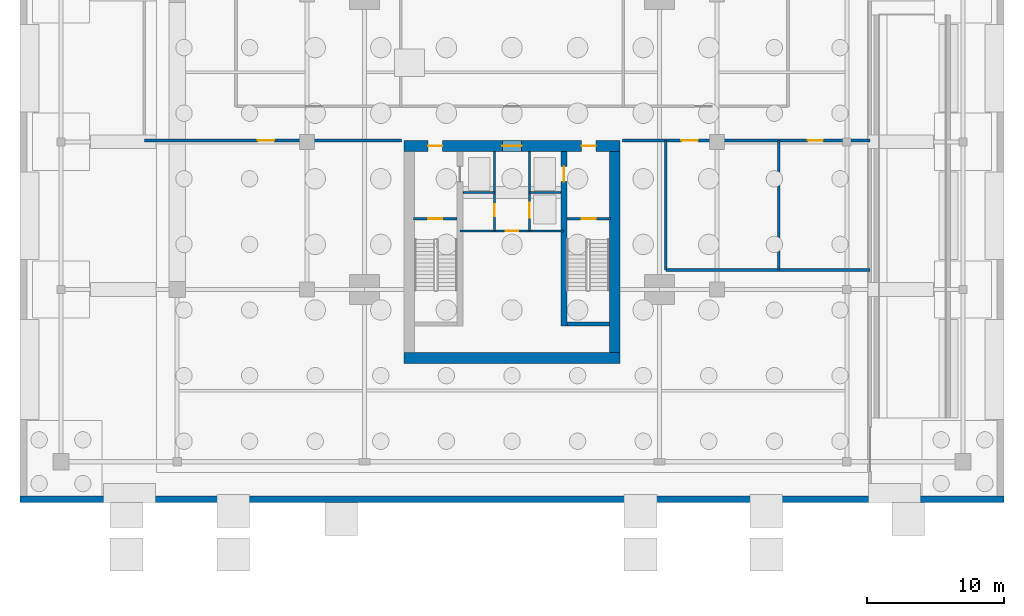
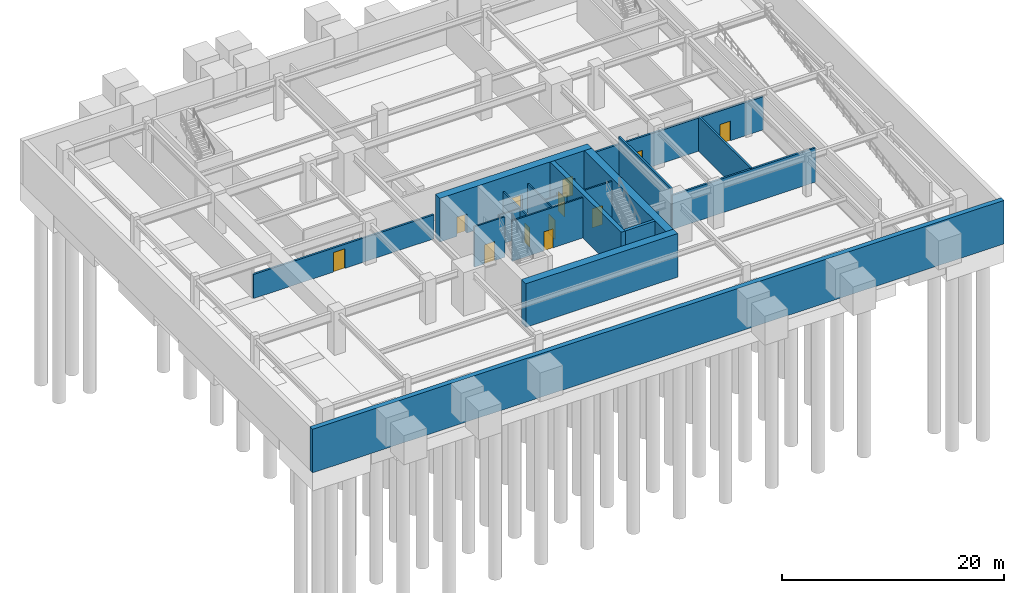
# One storey, part 4 of 9: 18 walls, 12 doors, 12 openings.
"""IFC4 building model written with IfcOpenShell, lengths in metres."""

import ifcopenshell
import ifcopenshell.guid

model = None  # the IFC model being written
_history = None  # IfcOwnerHistory: only IFC2X3 demands one
_inside = {}  # id of a spatial element -> (the spatial element, [elements in it])
_under = {}  # id of a project, library or spatial element -> (it, [spatial elements below it])
_declared = {}  # id of a project -> (the project, [libraries it declares])
_typed = {}  # id of a type object -> (the type object, [elements of that type])
_made_of = {}  # id of a material, layer set ... -> (it, [elements and type objects made of it])


def new_model(schema):
    """Start an empty IFC model of exactly this schema.

    Asked for "IFC4X3", IfcOpenShell would pick the latest addendum, in which some entities
    have other attributes; the version numbers below select the first issue.
    IFC2X3 requires an IfcOwnerHistory on every rooted entity: one is made here for all.
    """
    global model, _history
    if schema == "IFC4X3":
        model = ifcopenshell.file(schema_version=(4, 3, 0, 0))
    else:
        model = ifcopenshell.file(schema=schema)
    _inside.clear()
    _under.clear()
    _declared.clear()
    _typed.clear()
    _made_of.clear()
    _history = None
    if model.schema == "IFC2X3":
        org = make("IfcOrganization", Name="unknown")
        user = make(
            "IfcPersonAndOrganization",
            ThePerson=make("IfcPerson", FamilyName="unknown"),
            TheOrganization=org,
        )
        app = make(
            "IfcApplication",
            ApplicationDeveloper=org,
            Version="unknown",
            ApplicationFullName="unknown",
            ApplicationIdentifier="unknown",
        )
        _history = make(
            "IfcOwnerHistory",
            OwningUser=user,
            OwningApplication=app,
            ChangeAction="ADDED",
            CreationDate=0,
        )
    return model


def make(cls, **values):
    """One entity of the class cls with the attributes given. An attribute that is None is left unset."""
    return model.create_entity(
        cls, **{name: value for name, value in values.items() if value is not None}
    )


def rooted(cls, **values):
    """An entity with a GlobalId (a new one), such as an element, a storey or a relation."""
    return make(cls, GlobalId=ifcopenshell.guid.new(), OwnerHistory=_history, **values)


def si_unit(unit_type, name, prefix=None):
    """IfcSIUnit, for example si_unit("LENGTHUNIT", "METRE", prefix="MILLI")."""
    return make("IfcSIUnit", UnitType=unit_type, Prefix=prefix, Name=name)


def assignment(units):
    """IfcUnitAssignment: the units of a project."""
    return None if units is None else make("IfcUnitAssignment", Units=units)


def point(xyz):
    """IfcCartesianPoint."""
    return None if xyz is None else make("IfcCartesianPoint", Coordinates=xyz)


def direction(xyz):
    """IfcDirection."""
    return None if xyz is None else make("IfcDirection", DirectionRatios=xyz)


def frame(location, z_axis=None, x_axis=None):
    """IfcAxis2Placement3D, a coordinate frame: its origin and axes. An axis left out is left unset."""
    return make(
        "IfcAxis2Placement3D",
        Location=point(location),
        Axis=direction(z_axis),
        RefDirection=direction(x_axis),
    )


def frame_2d(location, x_axis=None):
    """IfcAxis2Placement2D, a coordinate frame in the plane: its origin and x axis."""
    return make(
        "IfcAxis2Placement2D", Location=point(location), RefDirection=direction(x_axis)
    )


def origin():
    """The frame at (0, 0, 0) with its axes left unset."""
    return frame((0.0, 0.0, 0.0))


def place(relative_to, where):
    """IfcLocalPlacement: puts the frame where relative to a parent placement (None: the world)."""
    return make(
        "IfcLocalPlacement", PlacementRelTo=relative_to, RelativePlacement=where
    )


def context(
    kind, dimensions, precision=None, world=None, true_north=None, identifier=None
):
    """IfcGeometricRepresentationContext, for example the 3D "Model" context."""
    return make(
        "IfcGeometricRepresentationContext",
        ContextIdentifier=identifier,
        ContextType=kind,
        CoordinateSpaceDimension=dimensions,
        Precision=precision,
        WorldCoordinateSystem=world,
        TrueNorth=true_north,
    )


def subcontext(parent, identifier, kind, view, scale=None):
    """IfcGeometricRepresentationSubContext, for example "Body" below "Model"."""
    return make(
        "IfcGeometricRepresentationSubContext",
        ContextIdentifier=identifier,
        ContextType=kind,
        ParentContext=parent,
        TargetScale=scale,
        TargetView=view,
    )


def project(units=None, contexts=None):
    """IfcProject with its units and contexts."""
    return rooted(
        "IfcProject",
        Name="project",
        RepresentationContexts=contexts,
        UnitsInContext=assignment(units),
    )


def spatial(cls, under=None, at=None, **own):
    """A site, building, storey or space (cls), placed at a placement, below another one or the project."""
    s = rooted(cls, ObjectPlacement=at, **own)
    if under is not None:
        _under.setdefault(under.id(), (under, []))[1].append(s)
    return s


def profile(cls, at=None, kind="AREA", **sizes):
    """A parametric profile (cls). Its sizes go by their IFC names, for example OverallWidth=200.0."""
    return make(cls, ProfileType=kind, Position=at, **sizes)


def rectangle(**sizes):
    """IfcRectangleProfileDef."""
    return profile("IfcRectangleProfileDef", **sizes)


def extrude(swept, where, along, depth):
    """IfcExtrudedAreaSolid: the profile swept, set in the frame where, extruded along a direction by depth."""
    return make(
        "IfcExtrudedAreaSolid",
        SweptArea=swept,
        Position=where,
        ExtrudedDirection=direction(along),
        Depth=depth,
    )


def shape(context_of_items, identifier, shape_type, items):
    """IfcShapeRepresentation: the items that make up one representation, for example the "Body"."""
    return make(
        "IfcShapeRepresentation",
        ContextOfItems=context_of_items,
        RepresentationIdentifier=identifier,
        RepresentationType=shape_type,
        Items=items,
    )


def material(Name=None, Category=None):
    """IfcMaterial."""
    return make("IfcMaterial", Name=Name, Category=Category)


def layer(
    of_material, thickness, ventilated=None, Name=None, Category=None, Priority=None
):
    """IfcMaterialLayer: one layer of a wall or slab, of a material (None: an air gap)."""
    return make(
        "IfcMaterialLayer",
        Material=of_material,
        LayerThickness=thickness,
        IsVentilated=ventilated,
        Name=Name,
        Category=Category,
        Priority=Priority,
    )


def layer_set(layers, Name=None):
    """IfcMaterialLayerSet."""
    return make("IfcMaterialLayerSet", MaterialLayers=layers, LayerSetName=Name)


def made_of(thing, what):
    """Note that an element or type object is made of a material, layer set ...; save() writes the relation."""
    if what is not None:
        _made_of.setdefault(what.id(), (what, []))[1].append(thing)
    return thing


def type_object(cls, material=None, **own):
    """A type object (cls), such as IfcWallType, which elements share."""
    return made_of(rooted(cls, **own), material)


def element(
    cls,
    number,
    at=None,
    inside=None,
    cuts=None,
    type_object=None,
    material=None,
    context=None,
    identifier="Body",
    shape_type=None,
    held_by="IfcProductDefinitionShape",
    body=None,
    shapes=None,
    **own,
):
    """One element of the class cls, such as IfcWall. Its Tag is "e" and its number.

    at: its placement. inside: the storey or other place that contains it. cuts: it is an
    opening in that element (IfcRelVoidsElement). A single representation is given by context,
    identifier, shape_type and body (its items); several are given by shapes. held_by: the class
    of the entity that holds the representations. save() writes the other relations.
    """
    e = rooted(cls, Tag="e%d" % number, ObjectPlacement=at, **own)
    if body is not None:
        shapes = [shape(context, identifier, shape_type, body)]
    if shapes is not None:
        e.Representation = make(held_by, Representations=shapes)
    if inside is not None:
        _inside.setdefault(inside.id(), (inside, []))[1].append(e)
    if cuts is not None:
        rooted(
            "IfcRelVoidsElement", RelatingBuildingElement=cuts, RelatedOpeningElement=e
        )
    if type_object is not None:
        _typed.setdefault(type_object.id(), (type_object, []))[1].append(e)
    return made_of(e, material)


def fill(opening, filler):
    """IfcRelFillsElement: the door or window that sits in an opening."""
    return rooted(
        "IfcRelFillsElement",
        RelatingOpeningElement=opening,
        RelatedBuildingElement=filler,
    )


def aggregate(whole, parts):
    """IfcRelAggregates: a whole, such as a stair, and the parts it consists of."""
    return rooted("IfcRelAggregates", RelatingObject=whole, RelatedObjects=parts)


def save(model, path):
    """Write the relations noted so far, then the file.

    IfcRelAggregates (storeys below a building ...), IfcRelContainedInSpatialStructure (elements
    in a storey), IfcRelDefinesByType, IfcRelAssociatesMaterial and IfcRelDeclares: one each for
    every whole, place, type object, material and project.
    """
    for whole, parts in _under.values():
        aggregate(whole, parts)
    for where, things in _inside.values():
        rooted(
            "IfcRelContainedInSpatialStructure",
            RelatedElements=things,
            RelatingStructure=where,
        )
    for kind, things in _typed.values():
        rooted("IfcRelDefinesByType", RelatedObjects=things, RelatingType=kind)
    for what, things in _made_of.values():
        rooted("IfcRelAssociatesMaterial", RelatedObjects=things, RelatingMaterial=what)
    for by, libraries in _declared.values():
        rooted("IfcRelDeclares", RelatingContext=by, RelatedDefinitions=libraries)
    model.write(path)


model = new_model("IFC4")

# Units and contexts
model_context = context("Model", 3, precision=1e-05, world=origin(), true_north=direction((0.0, 1.0)))
body_context = subcontext(model_context, "Body", "Model", "MODEL_VIEW")
ifc_project = project(units=[si_unit("LENGTHUNIT", "METRE"), si_unit("AREAUNIT", "SQUARE_METRE"), si_unit("VOLUMEUNIT", "CUBIC_METRE"), si_unit("PLANEANGLEUNIT", "RADIAN"), si_unit("MASSUNIT", "GRAM", prefix="KILO")], contexts=[model_context])

# Site, building, storey
site_placement = place(None, origin())
site = spatial("IfcSite", under=ifc_project, at=site_placement, CompositionType="ELEMENT")
building_placement = place(site_placement, origin())
building = spatial("IfcBuilding", under=site, at=building_placement, Name="Krantzveldt Concourse Tower", CompositionType="ELEMENT")
storey_placement = place(building_placement, frame((0.0, 0.0, -4.800048828125)))
storey = spatial("IfcBuildingStorey", under=building, at=storey_placement, Name="B1", CompositionType="ELEMENT", Elevation=-4.800048828125)

# Wall, opening, door
ifc_material_1 = material(Name="Fire-rated gypsum plasterboard on steel stud", Category="steel")
ifc_layer_1 = layer(ifc_material_1, 0.139892578125, Name="Fire-rated gypsum plasterboard on steel stud", Category="steel")
ifc_layer_set_1 = layer_set([ifc_layer_1], Name="Fire-rated gypsum plasterboard on steel stud (WL-PART-FR140)")
wall_type_1 = type_object("IfcWallType", Name="WL-PART-FR140", PredefinedType="PARTITIONING", material=ifc_layer_set_1)
wall_1_placement = place(storey_placement, frame((34.719970703125, 20.199951171875, 0.0), z_axis=(0.0, 0.0, 1.0), x_axis=(0.0, 1.0, 0.0)))
wall_1 = element("IfcWall", 1, at=wall_1_placement, inside=storey, type_object=wall_type_1, Name="WP-B1-SHNW", PredefinedType="PARTITIONING", context=body_context, shape_type="SweptSolid", body=[
    extrude(rectangle(XDim=5.780029296875, YDim=0.139892578125, at=frame_2d((2.89013671875, 0.0))), origin(), (0.0, 0.0, 1.0), 3.25),
])
opening_1_placement = place(wall_1_placement, frame((1.050048828125, 0.0, 0.0)))
opening_1 = element("IfcOpeningElement", 2, at=opening_1_placement, cuts=wall_1, Name="Opening D-FD090", PredefinedType="OPENING", context=body_context, shape_type="SweptSolid", body=[
    extrude(rectangle(XDim=0.89990234375, YDim=2.10009765625, at=frame_2d((0.449951171875, 1.050048828125))), frame((0.0, 0.080078125, 0.0), z_axis=(0.0, -1.0, 0.0), x_axis=(1.0, 0.0, 0.0)), (0.0, 0.0, 1.0), 0.159912109375),
])
ifc_material_2 = material(Name="Hardwood timber", Category="wood")
door_type_1 = type_object("IfcDoorType", Name="DR-FD60-900", OperationType="SINGLE_SWING_LEFT", PredefinedType="DOOR", material=ifc_material_2)
door_1_placement = place(opening_1_placement, origin())
door_1 = element("IfcDoor", 3, at=door_1_placement, inside=storey, type_object=door_type_1, Name="Electrical Riser Access Door B1", OperationType="SINGLE_SWING_LEFT", OverallHeight=2.10009765625, OverallWidth=0.89990234375, PredefinedType="DOOR", context=body_context, shape_type="SweptSolid", body=[
    extrude(rectangle(XDim=0.89990234375, YDim=2.10009765625, at=frame_2d((0.449951171875, 1.050048828125))), frame((0.0, 0.02490234375, 0.0), z_axis=(0.0, -1.0, 0.0), x_axis=(1.0, 0.0, 0.0)), (0.0, 0.0, 1.0), 0.050048828125),
])
fill(opening_1, door_1)

wall_2_placement = place(storey_placement, frame((37.280029296875, 20.199951171875, 0.0), z_axis=(0.0, 0.0, 1.0), x_axis=(0.0, 1.0, 0.0)))
wall_2 = element("IfcWall", 4, at=wall_2_placement, inside=storey, type_object=wall_type_1, Name="WP-B1-SHNE", PredefinedType="PARTITIONING", context=body_context, shape_type="SweptSolid", body=[
    extrude(rectangle(XDim=5.780029296875, YDim=0.139892578125, at=frame_2d((2.89013671875, 0.0))), origin(), (0.0, 0.0, 1.0), 3.25),
])
opening_2_placement = place(wall_2_placement, frame((0.949951171875, 0.0, 0.0)))
opening_2 = element("IfcOpeningElement", 5, at=opening_2_placement, cuts=wall_2, Name="Opening LD", PredefinedType="OPENING", context=body_context, shape_type="SweptSolid", body=[
    extrude(rectangle(XDim=1.10009765625, YDim=2.14990234375, at=frame_2d((0.550048828125, 1.074951171875))), frame((0.0, 0.080078125, 0.0), z_axis=(0.0, -1.0, 0.0), x_axis=(1.0, 0.0, 0.0)), (0.0, 0.0, 1.0), 0.159912109375),
])
ifc_material_3 = material(Name="Stainless steel 316L", Category="steel")
door_type_2 = type_object("IfcDoorType", Name="DR-SLIDE-LD1100", OperationType="DOUBLE_DOOR_SLIDING", PredefinedType="DOOR", material=ifc_material_3)
door_2_placement = place(opening_2_placement, origin())
door_2 = element("IfcDoor", 6, at=door_2_placement, inside=storey, type_object=door_type_2, Name="LD-B1-GL1", OperationType="DOUBLE_DOOR_SLIDING", OverallHeight=2.14990234375, OverallWidth=1.10009765625, PredefinedType="DOOR", context=body_context, shape_type="SweptSolid", body=[
    extrude(rectangle(XDim=1.10009765625, YDim=2.14990234375, at=frame_2d((0.550048828125, 1.074951171875))), frame((0.0, 0.02490234375, 0.0), z_axis=(0.0, -1.0, 0.0), x_axis=(1.0, 0.0, 0.0)), (0.0, 0.0, 1.0), 0.050048828125),
])
fill(opening_2, door_2)

# Walls
for number, where, z_axis, x_axis, name in (
    (7, (32.449951171875, 23.0, 0.0), (0.0, 0.0, 1.0), (1.0, 0.0, 0.0), "WP-B1-RISH"),
    (8, (37.280029296875, 23.0, 0.0), (0.0, 0.0, 1.0), (1.0, 0.0, 0.0), "WP-B1-GLH"),
):
    element("IfcWall", number, at=place(storey_placement, frame(where, z_axis=z_axis, x_axis=x_axis)), inside=storey, type_object=wall_type_1, Name=name, PredefinedType="PARTITIONING", context=body_context, shape_type="SweptSolid", body=[
        extrude(rectangle(XDim=2.27001953125, YDim=0.139892578125, at=frame_2d((1.135009765625, 0.0))), origin(), (0.0, 0.0, 1.0), 3.25),
    ])

# Wall, opening, door
ifc_layer_2 = layer(ifc_material_1, 0.159912109375, Name="Fire-rated gypsum plasterboard on steel stud", Category="steel")
ifc_layer_set_2 = layer_set([ifc_layer_2], Name="Fire-rated gypsum plasterboard on steel stud (WL-PART-FR160)")
wall_type_2 = type_object("IfcWallType", Name="WL-PART-FR160", PredefinedType="PARTITIONING", material=ifc_layer_set_2)
wall_3_placement = place(storey_placement, frame((28.800048828125, 21.080078125, 0.0), z_axis=(0.0, 0.0, 1.0), x_axis=(1.0, 0.0, 0.0)))
wall_3 = element("IfcWall", 9, at=wall_3_placement, inside=storey, type_object=wall_type_2, Name="WP-B1-ST1", PredefinedType="PARTITIONING", context=body_context, shape_type="SweptSolid", body=[
    extrude(rectangle(XDim=3.159912109375, YDim=0.159912109375, at=frame_2d((1.580078125, 0.0))), origin(), (0.0, 0.0, 1.0), 4.449951171875),
])
opening_3_placement = place(wall_3_placement, frame((1.054931640625, 0.0, 0.0)))
opening_3 = element("IfcOpeningElement", 10, at=opening_3_placement, cuts=wall_3, Name="Opening D-FD105", PredefinedType="OPENING", context=body_context, shape_type="SweptSolid", body=[
    extrude(rectangle(XDim=1.050048828125, YDim=2.10009765625, at=frame_2d((0.52490234375, 1.050048828125))), frame((0.0, 0.08984375, 0.0), z_axis=(0.0, -1.0, 0.0), x_axis=(1.0, 0.0, 0.0)), (0.0, 0.0, 1.0), 0.179931640625),
])
ifc_material_4 = material(Name="Galvanised steel", Category="steel")
door_type_3 = type_object("IfcDoorType", Name="DR-FD120-1050", OperationType="SINGLE_SWING_LEFT", PredefinedType="DOOR", material=ifc_material_4)
door_3_placement = place(opening_3_placement, origin())
door_3 = element("IfcDoor", 11, at=door_3_placement, inside=storey, type_object=door_type_3, Name="DR-B1-ST1", OperationType="SINGLE_SWING_RIGHT", OverallHeight=2.10009765625, OverallWidth=1.050048828125, PredefinedType="DOOR", context=body_context, shape_type="SweptSolid", body=[
    extrude(rectangle(XDim=1.050048828125, YDim=2.10009765625, at=frame_2d((0.52490234375, 1.050048828125))), frame((0.0, 0.02490234375, 0.0), z_axis=(0.0, -1.0, 0.0), x_axis=(1.0, 0.0, 0.0)), (0.0, 0.0, 1.0), 0.050048828125),
])
fill(opening_3, door_3)

wall_4_placement = place(storey_placement, frame((40.0400390625, 21.080078125, 0.0), z_axis=(0.0, 0.0, 1.0), x_axis=(1.0, 0.0, 0.0)))
wall_4 = element("IfcWall", 12, at=wall_4_placement, inside=storey, type_object=wall_type_2, Name="WP-B1-ST2", PredefinedType="PARTITIONING", context=body_context, shape_type="SweptSolid", body=[
    extrude(rectangle(XDim=3.159912109375, YDim=0.159912109375, at=frame_2d((1.580078125, 0.0))), origin(), (0.0, 0.0, 1.0), 4.449951171875),
])
opening_4_placement = place(wall_4_placement, frame((1.054931640625, 0.0, 0.0)))
opening_4 = element("IfcOpeningElement", 13, at=opening_4_placement, cuts=wall_4, Name="Opening D-FD105", PredefinedType="OPENING", context=body_context, shape_type="SweptSolid", body=[
    extrude(rectangle(XDim=1.050048828125, YDim=2.10009765625, at=frame_2d((0.52490234375, 1.050048828125))), frame((0.0, 0.08984375, 0.0), z_axis=(0.0, -1.0, 0.0), x_axis=(1.0, 0.0, 0.0)), (0.0, 0.0, 1.0), 0.179931640625),
])
door_4_placement = place(opening_4_placement, origin())
door_4 = element("IfcDoor", 14, at=door_4_placement, inside=storey, type_object=door_type_3, Name="DR-B1-ST2", OperationType="SINGLE_SWING_LEFT", OverallHeight=2.10009765625, OverallWidth=1.050048828125, PredefinedType="DOOR", context=body_context, shape_type="SweptSolid", body=[
    extrude(rectangle(XDim=1.050048828125, YDim=2.10009765625, at=frame_2d((0.52490234375, 1.050048828125))), frame((0.0, 0.02490234375, 0.0), z_axis=(0.0, -1.0, 0.0), x_axis=(1.0, 0.0, 0.0)), (0.0, 0.0, 1.0), 0.050048828125),
])
fill(opening_4, door_4)

wall_5_placement = place(storey_placement, frame((32.2099609375, 20.179931640625, 0.0), z_axis=(0.0, 0.0, 1.0), x_axis=(1.0, 0.0, 0.0)))
wall_5 = element("IfcWall", 15, at=wall_5_placement, inside=storey, type_object=wall_type_2, Name="WP-B1-CSN", PredefinedType="PARTITIONING", context=body_context, shape_type="SweptSolid", body=[
    extrude(rectangle(XDim=7.580078125, YDim=0.159912109375, at=frame_2d((3.7900390625, 0.0))), origin(), (0.0, 0.0, 1.0), 4.449951171875),
])
opening_5_placement = place(wall_5_placement, frame((3.31494140625, 0.0, 0.0)))
opening_5 = element("IfcOpeningElement", 16, at=opening_5_placement, cuts=wall_5, Name="Opening D-FD095", PredefinedType="OPENING", context=body_context, shape_type="SweptSolid", body=[
    extrude(rectangle(XDim=0.949951171875, YDim=2.10009765625, at=frame_2d((0.47509765625, 1.050048828125))), frame((0.0, 0.08984375, 0.0), z_axis=(0.0, -1.0, 0.0), x_axis=(1.0, 0.0, 0.0)), (0.0, 0.0, 1.0), 0.179931640625),
])
door_type_4 = type_object("IfcDoorType", Name="DR-FD120-950", OperationType="SINGLE_SWING_LEFT", PredefinedType="DOOR", material=ifc_material_4)
door_5_placement = place(opening_5_placement, origin())
door_5 = element("IfcDoor", 17, at=door_5_placement, inside=storey, type_object=door_type_4, Name="DR-B1-CSN", OperationType="SINGLE_SWING_LEFT", OverallHeight=2.10009765625, OverallWidth=0.949951171875, PredefinedType="DOOR", context=body_context, shape_type="SweptSolid", body=[
    extrude(rectangle(XDim=0.949951171875, YDim=2.10009765625, at=frame_2d((0.47509765625, 1.050048828125))), frame((0.0, 0.02490234375, 0.0), z_axis=(0.0, -1.0, 0.0), x_axis=(1.0, 0.0, 0.0)), (0.0, 0.0, 1.0), 0.050048828125),
])
fill(opening_5, door_5)

ifc_layer_3 = layer(ifc_material_1, 0.199951171875, Name="Fire-rated gypsum plasterboard on steel stud", Category="steel")
ifc_layer_set_3 = layer_set([ifc_layer_3], Name="Fire-rated gypsum plasterboard on steel stud (WL-PART-FR200)")
wall_type_3 = type_object("IfcWallType", Name="WL-PART-FR200", PredefinedType="PARTITIONING", material=ifc_layer_set_3)
wall_6_placement = place(storey_placement, frame((9.10009765625, 26.800048828125, 0.0), z_axis=(0.0, 0.0, 1.0), x_axis=(1.0, 0.0, 0.0)))
wall_6 = element("IfcWall", 18, at=wall_6_placement, inside=storey, type_object=wall_type_3, Name="WP-B1-C2", PredefinedType="PARTITIONING", context=body_context, shape_type="SweptSolid", body=[
    extrude(rectangle(XDim=18.7998046875, YDim=0.199951171875, at=frame_2d((9.39990234375, 0.0))), origin(), (0.0, 0.0, 1.0), 2.650146484375),
])
opening_6_placement = place(wall_6_placement, frame((8.300048828125, 0.0, 0.0)))
opening_6 = element("IfcOpeningElement", 19, at=opening_6_placement, cuts=wall_6, Name="Opening D-FD120", PredefinedType="OPENING", context=body_context, shape_type="SweptSolid", body=[
    extrude(rectangle(XDim=1.199951171875, YDim=2.14990234375, at=frame_2d((0.60009765625, 1.074951171875))), frame((0.0, 0.10986328125, 0.0), z_axis=(0.0, -1.0, 0.0), x_axis=(1.0, 0.0, 0.0)), (0.0, 0.0, 1.0), 0.219970703125),
])
door_type_5 = type_object("IfcDoorType", Name="DR-FD120-1200", OperationType="SINGLE_SWING_LEFT", PredefinedType="DOOR", material=ifc_material_4)
door_6_placement = place(opening_6_placement, origin())
door_6 = element("IfcDoor", 20, at=door_6_placement, inside=storey, type_object=door_type_5, Name="DR-B1-PARK", OperationType="SINGLE_SWING_LEFT", OverallHeight=2.14990234375, OverallWidth=1.199951171875, PredefinedType="DOOR", context=body_context, shape_type="SweptSolid", body=[
    extrude(rectangle(XDim=1.199951171875, YDim=2.14990234375, at=frame_2d((0.60009765625, 1.074951171875))), frame((0.0, 0.02490234375, 0.0), z_axis=(0.0, -1.0, 0.0), x_axis=(1.0, 0.0, 0.0)), (0.0, 0.0, 1.0), 0.050048828125),
])
fill(opening_6, door_6)

# Wall, openings, doors
wall_7_placement = place(storey_placement, frame((44.10009765625, 26.800048828125, 0.0), z_axis=(0.0, 0.0, 1.0), x_axis=(1.0, 0.0, 0.0)))
wall_7 = element("IfcWall", 21, at=wall_7_placement, inside=storey, type_object=wall_type_3, Name="WP-B1-C3", PredefinedType="PARTITIONING", context=body_context, shape_type="SweptSolid", body=[
    extrude(rectangle(XDim=18.099853515625, YDim=0.199951171875, at=frame_2d((9.0498046875, 0.0))), origin(), (0.0, 0.0, 1.0), 3.650146484375),
])
opening_7_placement = place(wall_7_placement, frame((4.300048828125, 0.0, 0.0)))
opening_7 = element("IfcOpeningElement", 22, at=opening_7_placement, cuts=wall_7, Name="Opening D-FD120", PredefinedType="OPENING", context=body_context, shape_type="SweptSolid", body=[
    extrude(rectangle(XDim=1.199951171875, YDim=2.14990234375, at=frame_2d((0.60009765625, 1.074951171875))), frame((0.0, 0.10986328125, 0.0), z_axis=(0.0, -1.0, 0.0), x_axis=(1.0, 0.0, 0.0)), (0.0, 0.0, 1.0), 0.219970703125),
])
opening_8_placement = place(wall_7_placement, frame((13.550048828125, 0.0, 0.0)))
opening_8 = element("IfcOpeningElement", 23, at=opening_8_placement, cuts=wall_7, Name="Opening D-FD110", PredefinedType="OPENING", context=body_context, shape_type="SweptSolid", body=[
    extrude(rectangle(XDim=1.10009765625, YDim=2.14990234375, at=frame_2d((0.550048828125, 1.074951171875))), frame((0.0, 0.10986328125, 0.0), z_axis=(0.0, -1.0, 0.0), x_axis=(1.0, 0.0, 0.0)), (0.0, 0.0, 1.0), 0.219970703125),
])
door_type_6 = type_object("IfcDoorType", Name="DR-FD120-1100", OperationType="SINGLE_SWING_LEFT", PredefinedType="DOOR", material=ifc_material_4)
door_7_placement = place(opening_8_placement, origin())
door_7 = element("IfcDoor", 24, at=door_7_placement, inside=storey, type_object=door_type_6, Name="DR-B1-REF", OperationType="SINGLE_SWING_LEFT", OverallHeight=2.14990234375, OverallWidth=1.10009765625, PredefinedType="DOOR", context=body_context, shape_type="SweptSolid", body=[
    extrude(rectangle(XDim=1.10009765625, YDim=2.14990234375, at=frame_2d((0.550048828125, 1.074951171875))), frame((0.0, 0.02490234375, 0.0), z_axis=(0.0, -1.0, 0.0), x_axis=(1.0, 0.0, 0.0)), (0.0, 0.0, 1.0), 0.050048828125),
])
fill(opening_8, door_7)
door_8_placement = place(opening_7_placement, origin())
door_8 = element("IfcDoor", 25, at=door_8_placement, inside=storey, type_object=door_type_5, Name="DR-B1-CYC", OperationType="SINGLE_SWING_RIGHT", OverallHeight=2.14990234375, OverallWidth=1.199951171875, PredefinedType="DOOR", context=body_context, shape_type="SweptSolid", body=[
    extrude(rectangle(XDim=1.199951171875, YDim=2.14990234375, at=frame_2d((0.60009765625, 1.074951171875))), frame((0.0, 0.02490234375, 0.0), z_axis=(0.0, -1.0, 0.0), x_axis=(1.0, 0.0, 0.0)), (0.0, 0.0, 1.0), 0.050048828125),
])
fill(opening_7, door_8)

# Walls
wall_8_placement = place(storey_placement, frame((47.25, 17.320068359375, 0.0), z_axis=(0.0, 0.0, 1.0), x_axis=(1.0, 0.0, 0.0)))
element("IfcWall", 26, at=wall_8_placement, inside=storey, type_object=wall_type_3, Name="WP-B1-CYCS", PredefinedType="PARTITIONING", context=body_context, shape_type="SweptSolid", body=[
    extrude(rectangle(XDim=14.949951171875, YDim=0.199951171875, at=frame_2d((7.47509765625, 0.0))), origin(), (0.0, 0.0, 1.0), 3.760009765625),
])
wall_9_placement = place(storey_placement, frame((47.25, 17.320068359375, 0.0), z_axis=(0.0, 0.0, 1.0), x_axis=(0.0, 1.0, 0.0)))
element("IfcWall", 27, at=wall_9_placement, inside=storey, type_object=wall_type_3, Name="WP-B1-CYCW", PredefinedType="PARTITIONING", context=body_context, shape_type="SweptSolid", body=[
    extrude(rectangle(XDim=9.47998046875, YDim=0.199951171875, at=frame_2d((4.739990234375, 0.0))), origin(), (0.0, 0.0, 1.0), 4.449951171875),
])
wall_10_placement = place(storey_placement, frame((55.52001953125, 17.320068359375, 0.0), z_axis=(0.0, 0.0, 1.0), x_axis=(0.0, 1.0, 0.0)))
element("IfcWall", 28, at=wall_10_placement, inside=storey, type_object=wall_type_3, Name="WP-B1-CYCM", PredefinedType="PARTITIONING", context=body_context, shape_type="SweptSolid", body=[
    extrude(rectangle(XDim=9.47998046875, YDim=0.199951171875, at=frame_2d((4.739990234375, 0.0))), origin(), (0.0, 0.0, 1.0), 3.81005859375),
])
ifc_material_5 = material(Name="Concrete C50/60", Category="concrete")
ifc_layer_4 = layer(ifc_material_5, 0.5, Name="Concrete C50/60", Category="concrete")
ifc_layer_set_4 = layer_set([ifc_layer_4], Name="Concrete C50/60 (WL-RET-500)")
wall_type_4 = type_object("IfcWallType", Name="WL-RET-500", PredefinedType="SOLIDWALL", material=ifc_layer_set_4)
wall_11_placement = place(storey_placement, frame((0.0, 0.550048828125, 0.0), z_axis=(0.0, 0.0, 1.0), x_axis=(1.0, 0.0, 0.0)))
element("IfcWall", 29, at=wall_11_placement, inside=storey, type_object=wall_type_4, Name="RW-B1-S", PredefinedType="SOLIDWALL", context=body_context, shape_type="SweptSolid", body=[
    extrude(rectangle(XDim=72.0, YDim=0.5, at=frame_2d((36.0, 0.0))), origin(), (0.0, 0.0, 1.0), 4.800048828125),
])
ifc_layer_5 = layer(ifc_material_5, 0.300048828125, Name="Concrete C50/60", Category="concrete")
ifc_layer_set_5 = layer_set([ifc_layer_5], Name="Concrete C50/60 (WL-SHEAR-300)")
wall_type_5 = type_object("IfcWallType", Name="WL-SHEAR-300", PredefinedType="SHEAR", material=ifc_layer_set_5)
wall_12_placement = place(storey_placement, frame((40.02001953125, 13.3701171875, 0.0), z_axis=(0.0, 0.0, 1.0), x_axis=(1.0, 0.0, 0.0)))
element("IfcWall", 30, at=wall_12_placement, inside=storey, type_object=wall_type_5, Name="CW-B1-ST2S", PredefinedType="SHEAR", context=body_context, shape_type="SweptSolid", body=[
    extrude(rectangle(XDim=3.10009765625, YDim=0.300048828125, at=frame_2d((1.550048828125, 0.0))), origin(), (0.0, 0.0, 1.0), 4.800048828125),
])

# Wall, opening, door
ifc_layer_6 = layer(ifc_material_5, 0.449951171875, Name="Concrete C50/60", Category="concrete")
ifc_layer_set_6 = layer_set([ifc_layer_6], Name="Concrete C50/60 (WL-SHEAR-450)")
wall_type_6 = type_object("IfcWallType", Name="WL-SHEAR-450", PredefinedType="SHEAR", material=ifc_layer_set_6)
wall_13_placement = place(storey_placement, frame((39.794921875, 13.219970703125, 0.0), z_axis=(0.0, 0.0, 1.0), x_axis=(0.0, 1.0, 0.0)))
wall_13 = element("IfcWall", 31, at=wall_13_placement, inside=storey, type_object=wall_type_6, Name="CW-B1-IE", PredefinedType="SHEAR", context=body_context, shape_type="SweptSolid", body=[
    extrude(rectangle(XDim=12.780029296875, YDim=0.449951171875, at=frame_2d((6.39013671875, 0.0))), origin(), (0.0, 0.0, 1.0), 4.800048828125),
])
opening_9_placement = place(wall_13_placement, frame((10.580078125, 0.0, 0.0)))
opening_9 = element("IfcOpeningElement", 32, at=opening_9_placement, cuts=wall_13, Name="Opening LD", PredefinedType="OPENING", context=body_context, shape_type="SweptSolid", body=[
    extrude(rectangle(XDim=1.10009765625, YDim=2.14990234375, at=frame_2d((0.550048828125, 1.074951171875))), frame((0.0, 0.23486328125, 0.0), z_axis=(0.0, -1.0, 0.0), x_axis=(1.0, 0.0, 0.0)), (0.0, 0.0, 1.0), 0.469970703125),
])
door_9_placement = place(opening_9_placement, origin())
door_9 = element("IfcDoor", 33, at=door_9_placement, inside=storey, type_object=door_type_2, Name="LD-B1-FL2", OperationType="DOUBLE_DOOR_SLIDING", OverallHeight=2.14990234375, OverallWidth=1.10009765625, PredefinedType="DOOR", context=body_context, shape_type="SweptSolid", body=[
    extrude(rectangle(XDim=1.10009765625, YDim=2.14990234375, at=frame_2d((0.550048828125, 1.074951171875))), frame((0.0, 0.02490234375, 0.0), z_axis=(0.0, -1.0, 0.0), x_axis=(1.0, 0.0, 0.0)), (0.0, 0.0, 1.0), 0.050048828125),
])
fill(opening_9, door_9)

# Wall
ifc_material_6 = material(Name="Concrete C60/75", Category="concrete")
ifc_layer_7 = layer(ifc_material_6, 0.800048828125, Name="Concrete C60/75", Category="concrete")
ifc_layer_set_7 = layer_set([ifc_layer_7], Name="Concrete C60/75 (WL-SHEAR-800)")
wall_type_7 = type_object("IfcWallType", Name="WL-SHEAR-800", PredefinedType="SHEAR", material=ifc_layer_set_7)
wall_14_placement = place(storey_placement, frame((28.080078125, 10.89990234375, 0.0), z_axis=(0.0, 0.0, 1.0), x_axis=(1.0, 0.0, 0.0)))
element("IfcWall", 34, at=wall_14_placement, inside=storey, type_object=wall_type_7, Name="CW-B1-S", PredefinedType="SHEAR", context=body_context, shape_type="SweptSolid", body=[
    extrude(rectangle(XDim=15.83984375, YDim=0.800048828125, at=frame_2d((7.919921875, 0.0))), origin(), (0.0, 0.0, 1.0), 4.800048828125),
])

# Wall, openings, doors
wall_15_placement = place(storey_placement, frame((28.080078125, 26.39990234375, 0.0), z_axis=(0.0, 0.0, 1.0), x_axis=(1.0, 0.0, 0.0)))
wall_15 = element("IfcWall", 35, at=wall_15_placement, inside=storey, type_object=wall_type_7, Name="CW-B1-N", PredefinedType="SHEAR", context=body_context, shape_type="SweptSolid", body=[
    extrude(rectangle(XDim=15.83984375, YDim=0.800048828125, at=frame_2d((7.919921875, 0.0))), origin(), (0.0, 0.0, 1.0), 4.800048828125),
])
opening_10_placement = place(wall_15_placement, frame((7.219970703125, 0.0, 0.0)))
opening_10 = element("IfcOpeningElement", 36, at=opening_10_placement, cuts=wall_15, Name="Opening D-DB140", PredefinedType="OPENING", context=body_context, shape_type="SweptSolid", body=[
    extrude(rectangle(XDim=1.39990234375, YDim=2.199951171875, at=frame_2d((0.699951171875, 1.10009765625))), frame((0.0, 0.41015625, 0.0), z_axis=(0.0, -1.0, 0.0), x_axis=(1.0, 0.0, 0.0)), (0.0, 0.0, 1.0), 0.820068359375),
])
opening_11_placement = place(wall_15_placement, frame((1.77490234375, 0.0, 0.0)))
opening_11 = element("IfcOpeningElement", 37, at=opening_11_placement, cuts=wall_15, Name="Opening D-FD105", PredefinedType="OPENING", context=body_context, shape_type="SweptSolid", body=[
    extrude(rectangle(XDim=1.050048828125, YDim=2.10009765625, at=frame_2d((0.52490234375, 1.050048828125))), frame((0.0, 0.41015625, 0.0), z_axis=(0.0, -1.0, 0.0), x_axis=(1.0, 0.0, 0.0)), (0.0, 0.0, 1.0), 0.820068359375),
])
opening_12_placement = place(wall_15_placement, frame((13.014892578125, 0.0, 0.0)))
opening_12 = element("IfcOpeningElement", 38, at=opening_12_placement, cuts=wall_15, Name="Opening D-FD105", PredefinedType="OPENING", context=body_context, shape_type="SweptSolid", body=[
    extrude(rectangle(XDim=1.050048828125, YDim=2.10009765625, at=frame_2d((0.52490234375, 1.050048828125))), frame((0.0, 0.41015625, 0.0), z_axis=(0.0, -1.0, 0.0), x_axis=(1.0, 0.0, 0.0)), (0.0, 0.0, 1.0), 0.820068359375),
])
ifc_material_7 = material(Name="Anodised aluminium 6063-T6", Category="aluminium")
door_type_7 = type_object("IfcDoorType", Name="DR-DBL-1400", OperationType="DOUBLE_DOOR_SINGLE_SWING", PredefinedType="DOOR", material=ifc_material_7)
door_10_placement = place(opening_10_placement, origin())
door_10 = element("IfcDoor", 39, at=door_10_placement, inside=storey, type_object=door_type_7, Name="DR-B1-LLB", OperationType="DOUBLE_DOOR_SINGLE_SWING", OverallHeight=2.199951171875, OverallWidth=1.39990234375, PredefinedType="DOOR", context=body_context, shape_type="SweptSolid", body=[
    extrude(rectangle(XDim=1.39990234375, YDim=2.199951171875, at=frame_2d((0.699951171875, 1.10009765625))), frame((0.0, 0.02490234375, 0.0), z_axis=(0.0, -1.0, 0.0), x_axis=(1.0, 0.0, 0.0)), (0.0, 0.0, 1.0), 0.050048828125),
])
fill(opening_10, door_10)
door_11_placement = place(opening_11_placement, origin())
door_11 = element("IfcDoor", 40, at=door_11_placement, inside=storey, type_object=door_type_3, Name="DR-B1-FFL1", OperationType="SINGLE_SWING_LEFT", OverallHeight=2.10009765625, OverallWidth=1.050048828125, PredefinedType="DOOR", context=body_context, shape_type="SweptSolid", body=[
    extrude(rectangle(XDim=1.050048828125, YDim=2.10009765625, at=frame_2d((0.52490234375, 1.050048828125))), frame((0.0, 0.02490234375, 0.0), z_axis=(0.0, -1.0, 0.0), x_axis=(1.0, 0.0, 0.0)), (0.0, 0.0, 1.0), 0.050048828125),
])
fill(opening_11, door_11)
door_12_placement = place(opening_12_placement, origin())
door_12 = element("IfcDoor", 41, at=door_12_placement, inside=storey, type_object=door_type_3, Name="DR-B1-FFL2", OperationType="SINGLE_SWING_RIGHT", OverallHeight=2.10009765625, OverallWidth=1.050048828125, PredefinedType="DOOR", context=body_context, shape_type="SweptSolid", body=[
    extrude(rectangle(XDim=1.050048828125, YDim=2.10009765625, at=frame_2d((0.52490234375, 1.050048828125))), frame((0.0, 0.02490234375, 0.0), z_axis=(0.0, -1.0, 0.0), x_axis=(1.0, 0.0, 0.0)), (0.0, 0.0, 1.0), 0.050048828125),
])
fill(opening_12, door_12)

# Wall
wall_16_placement = place(storey_placement, frame((43.52001953125, 11.300048828125, 0.0), z_axis=(0.0, 0.0, 1.0), x_axis=(0.0, 1.0, 0.0)))
element("IfcWall", 42, at=wall_16_placement, inside=storey, type_object=wall_type_7, Name="CW-B1-E", PredefinedType="SHEAR", context=body_context, shape_type="SweptSolid", body=[
    extrude(rectangle(XDim=14.699951171875, YDim=0.800048828125, at=frame_2d((7.35009765625, 0.0))), origin(), (0.0, 0.0, 1.0), 4.800048828125),
])

save(model, "model.ifc")
